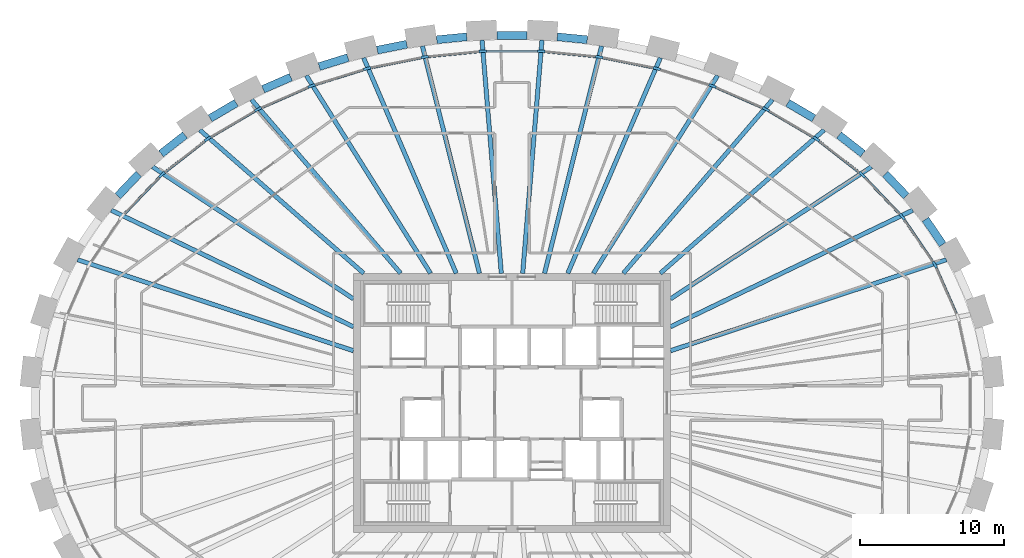
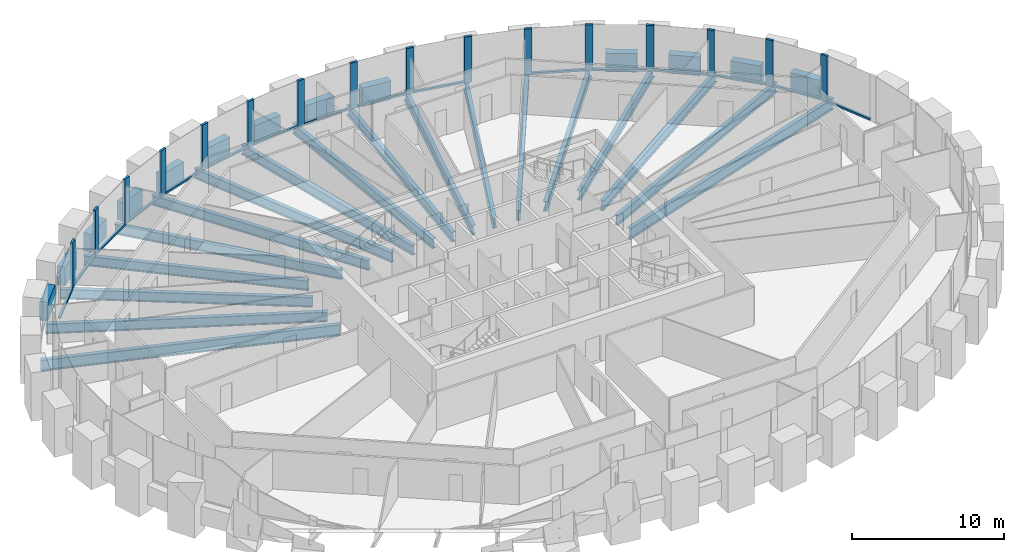
# One storey, part 3 of 12: 32 members, 31 beams, 1 element without a shape of its own.
"""IFC4 building model written with IfcOpenShell, lengths in metres."""

from ifc_helpers import new_model, si_unit, direction, frame, origin, origin_2d, place, context, subcontext, project, spatial, rectangle, i_section, extrude, source, transform, mapped, material, material_profile, profile_set, type_object, element, aggregate, save


model = new_model("IFC4")

# Units and contexts
model_context = context("Model", 3, precision=1e-05, world=origin(), true_north=direction((0.0, 1.0)))
body_context = subcontext(model_context, "Body", "Model", "MODEL_VIEW")
ifc_project = project(units=[si_unit("LENGTHUNIT", "METRE"), si_unit("AREAUNIT", "SQUARE_METRE"), si_unit("VOLUMEUNIT", "CUBIC_METRE"), si_unit("PLANEANGLEUNIT", "RADIAN"), si_unit("MASSUNIT", "GRAM", prefix="KILO")], contexts=[model_context])

# Site, building, storey
site_placement = place(None, origin())
site = spatial("IfcSite", under=ifc_project, at=site_placement, CompositionType="ELEMENT")
building_placement = place(site_placement, origin())
building = spatial("IfcBuilding", under=site, at=building_placement, Name="Embergate Tower", CompositionType="ELEMENT")
storey_placement = place(building_placement, frame((0.0, 0.0, 253.89990234375)))
storey = spatial("IfcBuildingStorey", under=building, at=storey_placement, Name="L58", CompositionType="ELEMENT", Elevation=253.89990234375)

# Beams
ifc_material_1 = material(Name="Concrete C60", Category="concrete")
ifc_material_profile_1 = material_profile(ifc_material_1, rectangle(XDim=0.550048828125, YDim=1.5, at=origin_2d()), Name="RC 550x1500")
ifc_profile_set_1 = profile_set([ifc_material_profile_1], Name="Concrete C60")
beam_type_1 = type_object("IfcBeamType", Name="Spandrel beam RC 550x1500 C60", PredefinedType="BEAM", material=ifc_profile_set_1)
shared_shape_1 = source(origin(), body_context, "Body", "SweptSolid", [
    extrude(rectangle(XDim=0.550048828125, YDim=1.5, at=origin_2d()), origin(), (0.0, 0.0, 1.0), 2.113525390625),
])
beam_1_placement = place(storey_placement, frame((29.885986328125, 10.998046875, 0.0), z_axis=(-0.562088832066, 0.827076867569, 0.0), x_axis=(-0.827076867569, -0.562088832066, 0.0)))
element("IfcBeam", 1, at=beam_1_placement, inside=storey, type_object=beam_type_1, Name="SPN-L58-02", PredefinedType="BEAM", context=body_context, shape_type="MappedRepresentation", body=[
    mapped(shared_shape_1, transform((0.0, 0.0, 0.0))),
])
shared_shape_2 = source(origin(), body_context, "Body", "SweptSolid", [
    extrude(rectangle(XDim=0.550048828125, YDim=1.5, at=origin_2d()), origin(), (0.0, 0.0, 1.0), 2.1064453125),
])
for number, where, z_axis, x_axis, name in (
    (2, (27.362060546875, 14.366943359375, 0.0), (-0.690280012813, 0.723542330421, 0.0), (-0.723542330421, -0.690280012813, 0.0), "SPN-L58-03"),
    (3, (-25.907958984375, 15.89111328125, 0.0), (-0.690280012813, -0.723542330421, 0.0), (0.723542330421, -0.690280012813, 0.0), "SPN-L58-17"),
):
    element("IfcBeam", number, at=place(storey_placement, frame(where, z_axis=z_axis, x_axis=x_axis)), inside=storey, type_object=beam_type_1, Name=name, PredefinedType="BEAM", context=body_context, shape_type="MappedRepresentation", body=[
        mapped(shared_shape_2, transform((0.0, 0.0, 0.0))),
    ])
shared_shape_3 = source(origin(), body_context, "Body", "SweptSolid", [
    extrude(rectangle(XDim=0.550048828125, YDim=1.5, at=origin_2d()), origin(), (0.0, 0.0, 1.0), 2.101806640625),
])
for number, where, z_axis, x_axis, name in (
    (4, (24.35205078125, 17.301025390625, 0.0), (-0.78838173926, 0.615186340227, 0.0), (-0.615186340227, -0.78838173926, 0.0), "SPN-L58-04"),
    (5, (-22.695068359375, 18.593994140625, 0.0), (-0.78838173926, -0.615186340227, 0.0), (0.615186340227, -0.78838173926, 0.0), "SPN-L58-16"),
):
    element("IfcBeam", number, at=place(storey_placement, frame(where, z_axis=z_axis, x_axis=x_axis)), inside=storey, type_object=beam_type_1, Name=name, PredefinedType="BEAM", context=body_context, shape_type="MappedRepresentation", body=[
        mapped(shared_shape_3, transform((0.0, 0.0, 0.0))),
    ])
shared_shape_4 = source(origin(), body_context, "Body", "SweptSolid", [
    extrude(rectangle(XDim=0.550048828125, YDim=1.5, at=origin_2d()), origin(), (0.0, 0.0, 1.0), 2.097412109375),
])
for number, where, z_axis, x_axis, name in (
    (6, (20.947021484375, 19.758056640625, 0.0), (-0.862059864985, 0.506806461267, 0.0), (-0.506806461267, -0.862059864985, 0.0), "SPN-L58-05"),
    (7, (-19.138916015625, 20.821044921875, 0.0), (-0.862059864985, -0.506806461267, 0.0), (0.506806461267, -0.862059864985, 0.0), "SPN-L58-15"),
):
    element("IfcBeam", number, at=place(storey_placement, frame(where, z_axis=z_axis, x_axis=x_axis)), inside=storey, type_object=beam_type_1, Name=name, PredefinedType="BEAM", context=body_context, shape_type="MappedRepresentation", body=[
        mapped(shared_shape_4, transform((0.0, 0.0, 0.0))),
    ])
shared_shape_5 = source(origin(), body_context, "Body", "SweptSolid", [
    extrude(rectangle(XDim=0.550048828125, YDim=1.5, at=origin_2d()), origin(), (0.0, 0.0, 1.0), 2.093994140625),
])
beam_2_placement = place(storey_placement, frame((-15.35009765625, 22.614013671875, 0.0), z_axis=(-0.916403340616, -0.400256064674, 0.0), x_axis=(0.400256064674, -0.916403340616, 0.0)))
element("IfcBeam", 8, at=beam_2_placement, inside=storey, type_object=beam_type_1, Name="SPN-L58-14", PredefinedType="BEAM", context=body_context, shape_type="MappedRepresentation", body=[
    mapped(shared_shape_5, transform((0.0, 0.0, 0.0))),
])
shared_shape_6 = source(origin(), body_context, "Body", "SweptSolid", [
    extrude(rectangle(XDim=0.550048828125, YDim=1.5, at=origin_2d()), origin(), (0.0, 0.0, 1.0), 2.092529296875),
])
beam_3_placement = place(storey_placement, frame((-11.385009765625, 23.969970703125, 0.0), z_axis=(-0.954794982035, -0.297265104378, 0.0), x_axis=(0.297265104378, -0.954794982035, 0.0)))
element("IfcBeam", 9, at=beam_3_placement, inside=storey, type_object=beam_type_1, Name="SPN-L58-13", PredefinedType="BEAM", context=body_context, shape_type="MappedRepresentation", body=[
    mapped(shared_shape_6, transform((0.0, 0.0, 0.0))),
])
shared_shape_7 = source(origin(), body_context, "Body", "SweptSolid", [
    extrude(rectangle(XDim=0.550048828125, YDim=1.5, at=origin_2d()), origin(), (0.0, 0.0, 1.0), 2.0908203125),
])
beam_4_placement = place(storey_placement, frame((-7.300048828125, 24.90087890625, 0.0), z_axis=(-0.980499753095, -0.196520314929, 0.0), x_axis=(0.196520314929, -0.980499753095, 0.0)))
element("IfcBeam", 10, at=beam_4_placement, inside=storey, type_object=beam_type_1, Name="SPN-L58-12", PredefinedType="BEAM", context=body_context, shape_type="MappedRepresentation", body=[
    mapped(shared_shape_7, transform((0.0, 0.0, 0.0))),
])
shared_shape_8 = source(origin(), body_context, "Body", "SweptSolid", [
    extrude(rectangle(XDim=0.550048828125, YDim=1.5, at=origin_2d()), origin(), (0.0, 0.0, 1.0), 2.08984375),
])
for number, where, z_axis, x_axis, name in (
    (11, (5.222900390625, 25.2109375, 0.0), (-0.995219400888, 0.097664446431, 0.0), (-0.097664446431, -0.995219400888, 0.0), "SPN-L58-09"),
    (12, (1.044921875, 25.51806640625, 0.0), (-1.0, 0.0, 0.0), (0.0, -1.0, 0.0), "SPN-L58-10"),
    (13, (-3.14306640625, 25.4150390625, 0.0), (-0.995219400888, -0.097664446431, 0.0), (0.097664446431, -0.995219400888, 0.0), "SPN-L58-11"),
):
    element("IfcBeam", number, at=place(storey_placement, frame(where, z_axis=z_axis, x_axis=x_axis)), inside=storey, type_object=beam_type_1, Name=name, PredefinedType="BEAM", context=body_context, shape_type="MappedRepresentation", body=[
        mapped(shared_shape_8, transform((0.0, 0.0, 0.0))),
    ])
ifc_material_2 = material(Name="Steel Q355B", Category="steel")
ifc_material_profile_2 = material_profile(ifc_material_2, i_section(OverallWidth=0.300048828125, OverallDepth=0.89990234375, WebThickness=0.01611328125, FlangeThickness=0.028076171875, FilletRadius=0.028076171875, at=origin_2d()), Name="HN 900x300x16x28")
ifc_profile_set_2 = profile_set([ifc_material_profile_2], Name="Steel Q355 grade B")
beam_type_2 = type_object("IfcBeamType", Name="Radial girder HN 900x300x16x28", PredefinedType="BEAM", material=ifc_profile_set_2)
shared_shape_9 = source(origin(), body_context, "Body", "SweptSolid", [
    extrude(i_section(OverallWidth=0.300048828125, OverallDepth=0.89990234375, WebThickness=0.01611328125, FlangeThickness=0.028076171875, FilletRadius=0.028076171875, at=origin_2d()), origin(), (0.0, 0.0, 1.0), 20.164306640625),
])
for number, where, z_axis, x_axis, name in (
    (14, (30.14990234375, 9.943115234375, -0.64990234375), (-0.949691828374, -0.313185936976, 0.0), (0.313185936976, -0.949691828374, 0.0), "GIR-L58-02"),
    (15, (-30.14990234375, 9.943115234375, -0.64990234375), (0.949691828374, -0.313185936976, 0.0), (0.313185936976, 0.949691828374, 0.0), "GIR-L58-19"),
):
    element("IfcBeam", number, at=place(storey_placement, frame(where, z_axis=z_axis, x_axis=x_axis)), inside=storey, type_object=beam_type_2, Name=name, PredefinedType="BEAM", context=body_context, shape_type="MappedRepresentation", body=[
        mapped(shared_shape_9, transform((0.0, 0.0, 0.0))),
    ])
ifc_material_profile_3 = material_profile(ifc_material_2, i_section(OverallWidth=0.300048828125, OverallDepth=0.800048828125, WebThickness=0.013916015625, FlangeThickness=0.02587890625, FilletRadius=0.028076171875, at=origin_2d()), Name="HN 800x300x14x26")
ifc_profile_set_3 = profile_set([ifc_material_profile_3], Name="Steel Q355 grade B")
beam_type_3 = type_object("IfcBeamType", Name="Radial girder HN 800x300x14x26", PredefinedType="BEAM", material=ifc_profile_set_3)
shared_shape_10 = source(origin(), body_context, "Body", "SweptSolid", [
    extrude(i_section(OverallWidth=0.300048828125, OverallDepth=0.800048828125, WebThickness=0.013916015625, FlangeThickness=0.02587890625, FilletRadius=0.028076171875, at=origin_2d()), origin(), (0.0, 0.0, 1.0), 18.6572265625),
])
for number, where, z_axis, x_axis, name in (
    (16, (27.81298828125, 13.3798828125, -0.599853515625), (-0.901153541631, -0.433500051218, 0.0), (0.433500051218, -0.901153541631, 0.0), "GIR-L58-03"),
    (17, (-27.81298828125, 13.3798828125, -0.599853515625), (0.901153541631, -0.433500051218, 0.0), (0.433500051218, 0.901153541631, 0.0), "GIR-L58-18"),
):
    element("IfcBeam", number, at=place(storey_placement, frame(where, z_axis=z_axis, x_axis=x_axis)), inside=storey, type_object=beam_type_3, Name=name, PredefinedType="BEAM", context=body_context, shape_type="MappedRepresentation", body=[
        mapped(shared_shape_10, transform((0.0, 0.0, 0.0))),
    ])
shared_shape_11 = source(origin(), body_context, "Body", "SweptSolid", [
    extrude(i_section(OverallWidth=0.300048828125, OverallDepth=0.800048828125, WebThickness=0.013916015625, FlangeThickness=0.02587890625, FilletRadius=0.028076171875, at=origin_2d()), origin(), (0.0, 0.0, 1.0), 16.683349609375),
])
for number, where, z_axis, x_axis, name in (
    (18, (24.943115234375, 16.387939453125, -0.599853515625), (-0.835753065735, -0.549105466295, 0.0), (0.549105466295, -0.835753065735, 0.0), "GIR-L58-04"),
    (19, (-24.943115234375, 16.387939453125, -0.599853515625), (0.835753065735, -0.549105466295, 0.0), (0.549105466295, 0.835753065735, 0.0), "GIR-L58-17"),
):
    element("IfcBeam", number, at=place(storey_placement, frame(where, z_axis=z_axis, x_axis=x_axis)), inside=storey, type_object=beam_type_3, Name=name, PredefinedType="BEAM", context=body_context, shape_type="MappedRepresentation", body=[
        mapped(shared_shape_11, transform((0.0, 0.0, 0.0))),
    ])
shared_shape_12 = source(origin(), body_context, "Body", "SweptSolid", [
    extrude(i_section(OverallWidth=0.300048828125, OverallDepth=0.800048828125, WebThickness=0.013916015625, FlangeThickness=0.02587890625, FilletRadius=0.028076171875, at=origin_2d()), origin(), (0.0, 0.0, 1.0), 15.11083984375),
])
for number, where, z_axis, x_axis, name in (
    (20, (21.666015625, 18.947021484375, -0.599853515625), (-0.752776832469, -0.658275808836, 0.0), (0.658275808836, -0.752776832469, 0.0), "GIR-L58-05"),
    (21, (-21.666015625, 18.947021484375, -0.599853515625), (0.752776832469, -0.658275808836, 0.0), (0.658275808836, 0.752776832469, 0.0), "GIR-L58-16"),
):
    element("IfcBeam", number, at=place(storey_placement, frame(where, z_axis=z_axis, x_axis=x_axis)), inside=storey, type_object=beam_type_3, Name=name, PredefinedType="BEAM", context=body_context, shape_type="MappedRepresentation", body=[
        mapped(shared_shape_12, transform((0.0, 0.0, 0.0))),
    ])
shared_shape_13 = source(origin(), body_context, "Body", "SweptSolid", [
    extrude(i_section(OverallWidth=0.300048828125, OverallDepth=0.800048828125, WebThickness=0.013916015625, FlangeThickness=0.02587890625, FilletRadius=0.028076171875, at=origin_2d()), origin(), (0.0, 0.0, 1.0), 15.889892578125),
])
for number, where, z_axis, x_axis, name in (
    (22, (18.080078125, 21.054931640625, -0.599853515625), (-0.651489554498, -0.75865760418, 0.0), (0.75865760418, -0.651489554498, 0.0), "GIR-L58-06"),
    (23, (-18.080078125, 21.054931640625, -0.599853515625), (0.651489554498, -0.75865760418, 0.0), (0.75865760418, 0.651489554498, 0.0), "GIR-L58-15"),
):
    element("IfcBeam", number, at=place(storey_placement, frame(where, z_axis=z_axis, x_axis=x_axis)), inside=storey, type_object=beam_type_3, Name=name, PredefinedType="BEAM", context=body_context, shape_type="MappedRepresentation", body=[
        mapped(shared_shape_13, transform((0.0, 0.0, 0.0))),
    ])
shared_shape_14 = source(origin(), body_context, "Body", "SweptSolid", [
    extrude(i_section(OverallWidth=0.300048828125, OverallDepth=0.800048828125, WebThickness=0.013916015625, FlangeThickness=0.02587890625, FilletRadius=0.028076171875, at=origin_2d()), origin(), (0.0, 0.0, 1.0), 16.202880859375),
])
for number, where, z_axis, x_axis, name in (
    (24, (14.27001953125, 22.720947265625, -0.599853515625), (-0.531876197459, -0.84682212452, 0.0), (0.84682212452, -0.531876197459, 0.0), "GIR-L58-07"),
    (25, (-14.27001953125, 22.720947265625, -0.599853515625), (0.531876197459, -0.84682212452, 0.0), (0.84682212452, 0.531876197459, 0.0), "GIR-L58-14"),
):
    element("IfcBeam", number, at=place(storey_placement, frame(where, z_axis=z_axis, x_axis=x_axis)), inside=storey, type_object=beam_type_3, Name=name, PredefinedType="BEAM", context=body_context, shape_type="MappedRepresentation", body=[
        mapped(shared_shape_14, transform((0.0, 0.0, 0.0))),
    ])
shared_shape_15 = source(origin(), body_context, "Body", "SweptSolid", [
    extrude(i_section(OverallWidth=0.300048828125, OverallDepth=0.800048828125, WebThickness=0.013916015625, FlangeThickness=0.02587890625, FilletRadius=0.028076171875, at=origin_2d()), origin(), (0.0, 0.0, 1.0), 16.281494140625),
])
for number, where, z_axis, x_axis, name in (
    (26, (10.299072265625, 23.9580078125, -0.599853515625), (-0.394936126448, -0.918708580577, 0.0), (0.918708580577, -0.394936126448, 0.0), "GIR-L58-08"),
    (27, (-10.299072265625, 23.9580078125, -0.599853515625), (0.394936126448, -0.918708580577, 0.0), (0.918708580577, 0.394936126448, 0.0), "GIR-L58-13"),
):
    element("IfcBeam", number, at=place(storey_placement, frame(where, z_axis=z_axis, x_axis=x_axis)), inside=storey, type_object=beam_type_3, Name=name, PredefinedType="BEAM", context=body_context, shape_type="MappedRepresentation", body=[
        mapped(shared_shape_15, transform((0.0, 0.0, 0.0))),
    ])
shared_shape_16 = source(origin(), body_context, "Body", "SweptSolid", [
    extrude(i_section(OverallWidth=0.300048828125, OverallDepth=0.800048828125, WebThickness=0.013916015625, FlangeThickness=0.02587890625, FilletRadius=0.028076171875, at=origin_2d()), origin(), (0.0, 0.0, 1.0), 16.265625),
])
for number, where, z_axis, x_axis, name in (
    (28, (6.219970703125, 24.77587890625, -0.599853515625), (-0.243517311552, -0.969896550656, 0.0), (0.969896550656, -0.243517311552, 0.0), "GIR-L58-09"),
    (29, (-6.219970703125, 24.77587890625, -0.599853515625), (0.243517311552, -0.969896550656, 0.0), (0.969896550656, 0.243517311552, 0.0), "GIR-L58-12"),
):
    element("IfcBeam", number, at=place(storey_placement, frame(where, z_axis=z_axis, x_axis=x_axis)), inside=storey, type_object=beam_type_3, Name=name, PredefinedType="BEAM", context=body_context, shape_type="MappedRepresentation", body=[
        mapped(shared_shape_16, transform((0.0, 0.0, 0.0))),
    ])
shared_shape_17 = source(origin(), body_context, "Body", "SweptSolid", [
    extrude(i_section(OverallWidth=0.300048828125, OverallDepth=0.800048828125, WebThickness=0.013916015625, FlangeThickness=0.02587890625, FilletRadius=0.028076171875, at=origin_2d()), origin(), (0.0, 0.0, 1.0), 16.23828125),
])
for number, where, z_axis, x_axis, name in (
    (30, (2.080078125, 25.18310546875, -0.599853515625), (-0.082346180741, -0.996603786124, 0.0), (0.996603786124, -0.082346180741, 0.0), "GIR-L58-10"),
    (31, (-2.080078125, 25.18310546875, -0.599853515625), (0.082346180741, -0.996603786124, 0.0), (0.996603786124, 0.082346180741, 0.0), "GIR-L58-11"),
):
    element("IfcBeam", number, at=place(storey_placement, frame(where, z_axis=z_axis, x_axis=x_axis)), inside=storey, type_object=beam_type_3, Name=name, PredefinedType="BEAM", context=body_context, shape_type="MappedRepresentation", body=[
        mapped(shared_shape_17, transform((0.0, 0.0, 0.0))),
    ])

# Curtain wall, members
ifc_material_3 = material(Name="Aluminium and glass", Category="aluminium")
curtain_wall_type = type_object("IfcCurtainWallType", Name="Recessed office glazing", PredefinedType="NOTDEFINED", material=ifc_material_3)
curtain_wall_placement = place(storey_placement, origin())
curtain_wall = element("IfcCurtainWall", 32, at=curtain_wall_placement, inside=storey, type_object=curtain_wall_type, Name="Recessed office glazing ring", ObjectType="RECESSED OFFICE GLAZING", PredefinedType="USERDEFINED")
ifc_material_4 = material(Name="Aluminium, thermally broken", Category="aluminium")
ifc_material_profile_4 = material_profile(ifc_material_4, rectangle(XDim=0.179931640625, YDim=0.52001953125, at=origin_2d()), Name="AL 520x180")
ifc_profile_set_4 = profile_set([ifc_material_profile_4], Name="Aluminium, thermally broken")
member_type_1 = type_object("IfcMemberType", Name="Office mullion", PredefinedType="MULLION", material=ifc_profile_set_4)
shared_shape_18 = source(origin(), body_context, "Body", "SweptSolid", [
    extrude(rectangle(XDim=0.179931640625, YDim=0.52001953125, at=origin_2d()), origin(), (0.0, 0.0, 1.0), 3.7001953125),
])
member_1_placement = place(storey_placement, frame((29.34619140625, 9.600341796875, 0.0), z_axis=(0.0, 0.0, 1.0), x_axis=(-0.874994291193, -0.484133236186, 0.0)))
member_1 = element("IfcMember", 33, at=member_1_placement, type_object=member_type_1, Name="CW mullion 3", PredefinedType="MULLION", context=body_context, shape_type="MappedRepresentation", body=[
    mapped(shared_shape_18, transform((0.0, 0.0, 0.0))),
])
member_2_placement = place(storey_placement, frame((27.0830078125, 12.92822265625, 0.0), z_axis=(0.0, 0.0, 1.0), x_axis=(-0.777863789852, -0.628432911643, 0.0)))
member_2 = element("IfcMember", 34, at=member_2_placement, type_object=member_type_1, Name="CW mullion 4", PredefinedType="MULLION", context=body_context, shape_type="MappedRepresentation", body=[
    mapped(shared_shape_18, transform((0.0, 0.0, 0.0))),
])
member_3_placement = place(storey_placement, frame((24.299560546875, 15.846923828125, 0.0), z_axis=(0.0, 0.0, 1.0), x_axis=(-0.671217477801, -0.741260478843, 0.0)))
member_3 = element("IfcMember", 35, at=member_3_placement, type_object=member_type_1, Name="CW mullion 5", PredefinedType="MULLION", context=body_context, shape_type="MappedRepresentation", body=[
    mapped(shared_shape_18, transform((0.0, 0.0, 0.0))),
])
member_4_placement = place(storey_placement, frame((21.1142578125, 18.3330078125, 0.0), z_axis=(0.0, 0.0, 1.0), x_axis=(-0.562208958301, -0.826995215951, 0.0)))
member_4 = element("IfcMember", 36, at=member_4_placement, type_object=member_type_1, Name="CW mullion 6", PredefinedType="MULLION", context=body_context, shape_type="MappedRepresentation", body=[
    mapped(shared_shape_18, transform((0.0, 0.0, 0.0))),
])
member_5_placement = place(storey_placement, frame((17.626220703125, 20.383544921875, 0.0), z_axis=(0.0, 0.0, 1.0), x_axis=(-0.45450516197, -0.8907441034, 0.0)))
member_5 = element("IfcMember", 37, at=member_5_placement, type_object=member_type_1, Name="CW mullion 7", PredefinedType="MULLION", context=body_context, shape_type="MappedRepresentation", body=[
    mapped(shared_shape_18, transform((0.0, 0.0, 0.0))),
])
member_6_placement = place(storey_placement, frame((13.914794921875, 22.006591796875, 0.0), z_axis=(0.0, 0.0, 1.0), x_axis=(-0.349497777064, -0.936937193107, 0.0)))
member_6 = element("IfcMember", 38, at=member_6_placement, type_object=member_type_1, Name="CW mullion 8", PredefinedType="MULLION", context=body_context, shape_type="MappedRepresentation", body=[
    mapped(shared_shape_18, transform((0.0, 0.0, 0.0))),
])
member_7_placement = place(storey_placement, frame((10.0439453125, 23.2119140625, 0.0), z_axis=(0.0, 0.0, 1.0), x_axis=(-0.247308499144, -0.96893679167, 0.0)))
member_7 = element("IfcMember", 39, at=member_7_placement, type_object=member_type_1, Name="CW mullion 9", PredefinedType="MULLION", context=body_context, shape_type="MappedRepresentation", body=[
    mapped(shared_shape_18, transform((0.0, 0.0, 0.0))),
])
member_8_placement = place(storey_placement, frame((6.06689453125, 24.009521484375, 0.0), z_axis=(0.0, 0.0, 1.0), x_axis=(-0.147410656556, -0.989075375456, 0.0)))
member_8 = element("IfcMember", 40, at=member_8_placement, type_object=member_type_1, Name="CW mullion 10", PredefinedType="MULLION", context=body_context, shape_type="MappedRepresentation", body=[
    mapped(shared_shape_18, transform((0.0, 0.0, 0.0))),
])
member_9_placement = place(storey_placement, frame((2.02880859375, 24.406494140625, 0.0), z_axis=(0.0, 0.0, 1.0), x_axis=(-0.048970053385, -0.998800247232, 0.0)))
member_9 = element("IfcMember", 41, at=member_9_placement, type_object=member_type_1, Name="CW mullion 11", PredefinedType="MULLION", context=body_context, shape_type="MappedRepresentation", body=[
    mapped(shared_shape_18, transform((0.0, 0.0, 0.0))),
])
member_10_placement = place(storey_placement, frame((-2.02880859375, 24.406494140625, 0.0), z_axis=(0.0, 0.0, 1.0), x_axis=(0.048970053385, -0.998800247232, 0.0)))
member_10 = element("IfcMember", 42, at=member_10_placement, type_object=member_type_1, Name="CW mullion 12", PredefinedType="MULLION", context=body_context, shape_type="MappedRepresentation", body=[
    mapped(shared_shape_18, transform((0.0, 0.0, 0.0))),
])
member_11_placement = place(storey_placement, frame((-6.06689453125, 24.009521484375, 0.0), z_axis=(0.0, 0.0, 1.0), x_axis=(0.147410656556, -0.989075375456, 0.0)))
member_11 = element("IfcMember", 43, at=member_11_placement, type_object=member_type_1, Name="CW mullion 13", PredefinedType="MULLION", context=body_context, shape_type="MappedRepresentation", body=[
    mapped(shared_shape_18, transform((0.0, 0.0, 0.0))),
])
member_12_placement = place(storey_placement, frame((-10.0439453125, 23.2119140625, 0.0), z_axis=(0.0, 0.0, 1.0), x_axis=(0.247308499144, -0.96893679167, 0.0)))
member_12 = element("IfcMember", 44, at=member_12_placement, type_object=member_type_1, Name="CW mullion 14", PredefinedType="MULLION", context=body_context, shape_type="MappedRepresentation", body=[
    mapped(shared_shape_18, transform((0.0, 0.0, 0.0))),
])
member_13_placement = place(storey_placement, frame((-13.914794921875, 22.006591796875, 0.0), z_axis=(0.0, 0.0, 1.0), x_axis=(0.349497777064, -0.936937193107, 0.0)))
member_13 = element("IfcMember", 45, at=member_13_placement, type_object=member_type_1, Name="CW mullion 15", PredefinedType="MULLION", context=body_context, shape_type="MappedRepresentation", body=[
    mapped(shared_shape_18, transform((0.0, 0.0, 0.0))),
])
member_14_placement = place(storey_placement, frame((-17.626220703125, 20.383544921875, 0.0), z_axis=(0.0, 0.0, 1.0), x_axis=(0.45450516197, -0.8907441034, 0.0)))
member_14 = element("IfcMember", 46, at=member_14_placement, type_object=member_type_1, Name="CW mullion 16", PredefinedType="MULLION", context=body_context, shape_type="MappedRepresentation", body=[
    mapped(shared_shape_18, transform((0.0, 0.0, 0.0))),
])
member_15_placement = place(storey_placement, frame((-21.1142578125, 18.3330078125, 0.0), z_axis=(0.0, 0.0, 1.0), x_axis=(0.562208958301, -0.826995215951, 0.0)))
member_15 = element("IfcMember", 47, at=member_15_placement, type_object=member_type_1, Name="CW mullion 17", PredefinedType="MULLION", context=body_context, shape_type="MappedRepresentation", body=[
    mapped(shared_shape_18, transform((0.0, 0.0, 0.0))),
])
member_16_placement = place(storey_placement, frame((-24.299560546875, 15.846923828125, 0.0), z_axis=(0.0, 0.0, 1.0), x_axis=(0.671217477801, -0.741260478843, 0.0)))
member_16 = element("IfcMember", 48, at=member_16_placement, type_object=member_type_1, Name="CW mullion 18", PredefinedType="MULLION", context=body_context, shape_type="MappedRepresentation", body=[
    mapped(shared_shape_18, transform((0.0, 0.0, 0.0))),
])
ifc_material_profile_5 = material_profile(ifc_material_4, rectangle(XDim=0.179931640625, YDim=0.14990234375, at=origin_2d()), Name="AL 150x180")
ifc_profile_set_5 = profile_set([ifc_material_profile_5], Name="Aluminium, thermally broken")
member_type_2 = type_object("IfcMemberType", Name="Office sill transom", PredefinedType="USERDEFINED", material=ifc_profile_set_5)
shared_shape_19 = source(origin(), body_context, "Body", "SweptSolid", [
    extrude(rectangle(XDim=0.179931640625, YDim=0.14990234375, at=origin_2d()), origin(), (0.0, 0.0, 1.0), 3.49609375),
])
member_17_placement = place(storey_placement, frame((30.854736328125, 6.16064453125, 0.0751953125), z_axis=(-0.401675879714, 0.915781899612, 0.0), x_axis=(-0.915781899612, -0.401675879714, 0.0)))
member_17 = element("IfcMember", 49, at=member_17_placement, type_object=member_type_2, Name="CW transom 2.1", ObjectType="TRANSOM", PredefinedType="USERDEFINED", context=body_context, shape_type="MappedRepresentation", body=[
    mapped(shared_shape_19, transform((0.0, 0.0, 0.0))),
])
shared_shape_20 = source(origin(), body_context, "Body", "SweptSolid", [
    extrude(rectangle(XDim=0.179931640625, YDim=0.14990234375, at=origin_2d()), origin(), (0.0, 0.0, 1.0), 3.504638671875),
])
member_18_placement = place(storey_placement, frame((29.199951171875, 9.8154296875, 0.0751953125), z_axis=(-0.562376708583, 0.826881150858, 0.0), x_axis=(-0.826881150858, -0.562376708583, 0.0)))
member_18 = element("IfcMember", 50, at=member_18_placement, type_object=member_type_2, Name="CW transom 3.1", ObjectType="TRANSOM", PredefinedType="USERDEFINED", context=body_context, shape_type="MappedRepresentation", body=[
    mapped(shared_shape_20, transform((0.0, 0.0, 0.0))),
])
shared_shape_21 = source(origin(), body_context, "Body", "SweptSolid", [
    extrude(rectangle(XDim=0.179931640625, YDim=0.14990234375, at=origin_2d()), origin(), (0.0, 0.0, 1.0), 3.512939453125),
])
member_19_placement = place(storey_placement, frame((26.903564453125, 13.116455078125, 0.0751953125), z_axis=(-0.690159983448, 0.723656822842, 0.0), x_axis=(-0.723656822842, -0.690159983448, 0.0)))
member_19 = element("IfcMember", 51, at=member_19_placement, type_object=member_type_2, Name="CW transom 4.1", ObjectType="TRANSOM", PredefinedType="USERDEFINED", context=body_context, shape_type="MappedRepresentation", body=[
    mapped(shared_shape_21, transform((0.0, 0.0, 0.0))),
])
member_20_placement = place(storey_placement, frame((-24.47900390625, 15.65869140625, 0.0751953125), z_axis=(-0.690159983448, -0.723656822842, 0.0), x_axis=(0.723656822842, -0.690159983448, 0.0)))
member_20 = element("IfcMember", 52, at=member_20_placement, type_object=member_type_2, Name="CW transom 18.1", ObjectType="TRANSOM", PredefinedType="USERDEFINED", context=body_context, shape_type="MappedRepresentation", body=[
    mapped(shared_shape_21, transform((0.0, 0.0, 0.0))),
])
shared_shape_22 = source(origin(), body_context, "Body", "SweptSolid", [
    extrude(rectangle(XDim=0.179931640625, YDim=0.14990234375, at=origin_2d()), origin(), (0.0, 0.0, 1.0), 3.520263671875),
])
member_21_placement = place(storey_placement, frame((24.094482421875, 16.0068359375, 0.0751953125), z_axis=(-0.788309220122, 0.615279264619, 0.0), x_axis=(-0.615279264619, -0.788309220122, 0.0)))
member_21 = element("IfcMember", 53, at=member_21_placement, type_object=member_type_2, Name="CW transom 5.1", ObjectType="TRANSOM", PredefinedType="USERDEFINED", context=body_context, shape_type="MappedRepresentation", body=[
    mapped(shared_shape_22, transform((0.0, 0.0, 0.0))),
])
member_22_placement = place(storey_placement, frame((-21.3193359375, 18.1728515625, 0.0751953125), z_axis=(-0.788309220122, -0.615279264619, 0.0), x_axis=(0.615279264619, -0.788309220122, 0.0)))
member_22 = element("IfcMember", 54, at=member_22_placement, type_object=member_type_2, Name="CW transom 17.1", ObjectType="TRANSOM", PredefinedType="USERDEFINED", context=body_context, shape_type="MappedRepresentation", body=[
    mapped(shared_shape_22, transform((0.0, 0.0, 0.0))),
])
shared_shape_23 = source(origin(), body_context, "Body", "SweptSolid", [
    extrude(rectangle(XDim=0.179931640625, YDim=0.14990234375, at=origin_2d()), origin(), (0.0, 0.0, 1.0), 3.526123046875),
])
member_23_placement = place(storey_placement, frame((20.89013671875, 18.464599609375, 0.0751953125), z_axis=(-0.862058778532, 0.506808309281, 0.0), x_axis=(-0.506808309281, -0.862058778532, 0.0)))
member_23 = element("IfcMember", 55, at=member_23_placement, type_object=member_type_2, Name="CW transom 6.1", ObjectType="TRANSOM", PredefinedType="USERDEFINED", context=body_context, shape_type="MappedRepresentation", body=[
    mapped(shared_shape_23, transform((0.0, 0.0, 0.0))),
])
member_24_placement = place(storey_placement, frame((-17.850341796875, 20.251708984375, 0.0751953125), z_axis=(-0.862058778532, -0.506808309281, 0.0), x_axis=(0.506808309281, -0.862058778532, 0.0)))
member_24 = element("IfcMember", 56, at=member_24_placement, type_object=member_type_2, Name="CW transom 16.1", ObjectType="TRANSOM", PredefinedType="USERDEFINED", context=body_context, shape_type="MappedRepresentation", body=[
    mapped(shared_shape_23, transform((0.0, 0.0, 0.0))),
])
shared_shape_24 = source(origin(), body_context, "Body", "SweptSolid", [
    extrude(rectangle(XDim=0.179931640625, YDim=0.14990234375, at=origin_2d()), origin(), (0.0, 0.0, 1.0), 3.53076171875),
])
member_25_placement = place(storey_placement, frame((17.387939453125, 20.48779296875, 0.0751953125), z_axis=(-0.916241422351, 0.400626579209, 0.0), x_axis=(-0.400626579209, -0.916241422351, 0.0)))
member_25 = element("IfcMember", 57, at=member_25_placement, type_object=member_type_2, Name="CW transom 7.1", ObjectType="TRANSOM", PredefinedType="USERDEFINED", context=body_context, shape_type="MappedRepresentation", body=[
    mapped(shared_shape_24, transform((0.0, 0.0, 0.0))),
])
member_26_placement = place(storey_placement, frame((-14.15283203125, 21.90234375, 0.0751953125), z_axis=(-0.916241422351, -0.400626579209, 0.0), x_axis=(0.400626579209, -0.916241422351, 0.0)))
member_26 = element("IfcMember", 58, at=member_26_placement, type_object=member_type_2, Name="CW transom 15.1", ObjectType="TRANSOM", PredefinedType="USERDEFINED", context=body_context, shape_type="MappedRepresentation", body=[
    mapped(shared_shape_24, transform((0.0, 0.0, 0.0))),
])
shared_shape_25 = source(origin(), body_context, "Body", "SweptSolid", [
    extrude(rectangle(XDim=0.179931640625, YDim=0.14990234375, at=origin_2d()), origin(), (0.0, 0.0, 1.0), 3.5341796875),
])
member_27_placement = place(storey_placement, frame((-10.292236328125, 23.134521484375, 0.0751953125), z_axis=(-0.954775746564, -0.297326880342, 0.0), x_axis=(0.297326880342, -0.954775746564, 0.0)))
member_27 = element("IfcMember", 59, at=member_27_placement, type_object=member_type_2, Name="CW transom 14.1", ObjectType="TRANSOM", PredefinedType="USERDEFINED", context=body_context, shape_type="MappedRepresentation", body=[
    mapped(shared_shape_25, transform((0.0, 0.0, 0.0))),
])
shared_shape_26 = source(origin(), body_context, "Body", "SweptSolid", [
    extrude(rectangle(XDim=0.179931640625, YDim=0.14990234375, at=origin_2d()), origin(), (0.0, 0.0, 1.0), 3.5361328125),
])
member_28_placement = place(storey_placement, frame((9.7890625, 23.262939453125, 0.0751953125), z_axis=(-0.980463661571, 0.196700300811, 0.0), x_axis=(-0.196700300811, -0.980463661571, 0.0)))
member_28 = element("IfcMember", 60, at=member_28_placement, type_object=member_type_2, Name="CW transom 9.1", ObjectType="TRANSOM", PredefinedType="USERDEFINED", context=body_context, shape_type="MappedRepresentation", body=[
    mapped(shared_shape_26, transform((0.0, 0.0, 0.0))),
])
member_29_placement = place(storey_placement, frame((-6.322021484375, 23.95849609375, 0.0751953125), z_axis=(-0.980463661571, -0.196700300811, 0.0), x_axis=(0.196700300811, -0.980463661571, 0.0)))
member_29 = element("IfcMember", 61, at=member_29_placement, type_object=member_type_2, Name="CW transom 13.1", ObjectType="TRANSOM", PredefinedType="USERDEFINED", context=body_context, shape_type="MappedRepresentation", body=[
    mapped(shared_shape_26, transform((0.0, 0.0, 0.0))),
])
shared_shape_27 = source(origin(), body_context, "Body", "SweptSolid", [
    extrude(rectangle(XDim=0.179931640625, YDim=0.14990234375, at=origin_2d()), origin(), (0.0, 0.0, 1.0), 3.53759765625),
])
member_30_placement = place(storey_placement, frame((5.80810546875, 24.034912109375, 0.0751953125), z_axis=(-0.99519983538, 0.097863617654, 0.0), x_axis=(-0.097863617654, -0.99519983538, 0.0)))
member_30 = element("IfcMember", 62, at=member_30_placement, type_object=member_type_2, Name="CW transom 10.1", ObjectType="TRANSOM", PredefinedType="USERDEFINED", context=body_context, shape_type="MappedRepresentation", body=[
    mapped(shared_shape_27, transform((0.0, 0.0, 0.0))),
])
member_31_placement = place(storey_placement, frame((1.768798828125, 24.406494140625, 0.0751953125), z_axis=(-1.0, 0.0, 0.0), x_axis=(0.0, -1.0, 0.0)))
member_31 = element("IfcMember", 63, at=member_31_placement, type_object=member_type_2, Name="CW transom 11.1", ObjectType="TRANSOM", PredefinedType="USERDEFINED", context=body_context, shape_type="MappedRepresentation", body=[
    mapped(shared_shape_27, transform((0.0, 0.0, 0.0))),
])
member_32_placement = place(storey_placement, frame((-2.28759765625, 24.381103515625, 0.0751953125), z_axis=(-0.99519983538, -0.097863617654, 0.0), x_axis=(0.097863617654, -0.99519983538, 0.0)))
member_32 = element("IfcMember", 64, at=member_32_placement, type_object=member_type_2, Name="CW transom 12.1", ObjectType="TRANSOM", PredefinedType="USERDEFINED", context=body_context, shape_type="MappedRepresentation", body=[
    mapped(shared_shape_27, transform((0.0, 0.0, 0.0))),
])
aggregate(curtain_wall, [member_1, member_2, member_3, member_4, member_5, member_6, member_7, member_8, member_9, member_10, member_11, member_12, member_13, member_14, member_15, member_16, member_17, member_18, member_19, member_21, member_23, member_25, member_28, member_30, member_31, member_32, member_29, member_27, member_26, member_24, member_22, member_20])

save(model, "model.ifc")
